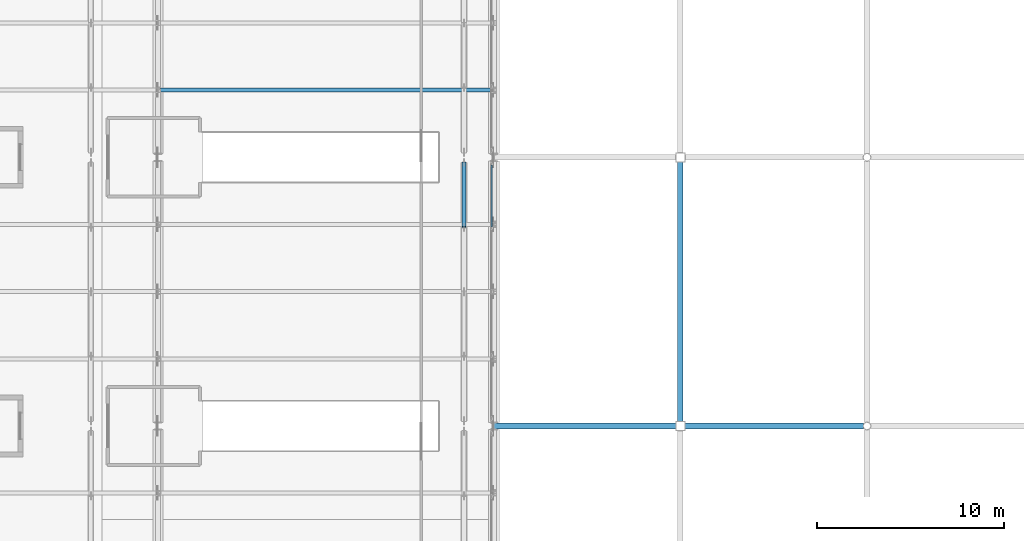
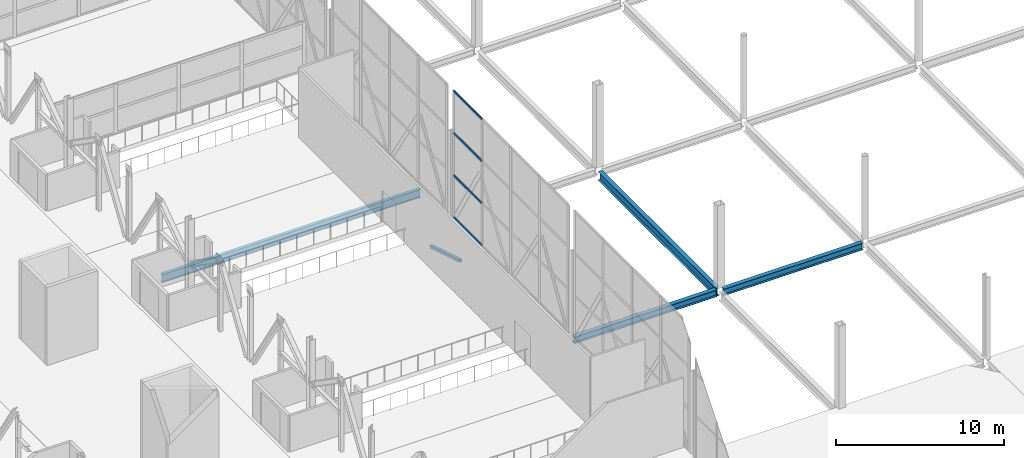
# One storey, part 63 of 191: 5 members, 4 beams, 1 element without a shape of its own.
"""IFC4 building model written with IfcOpenShell, lengths in metres."""

from ifc_helpers import new_model, si_unit, direction, frame, origin, origin_2d, place, context, subcontext, project, spatial, hollow_rectangle, i_section, extrude, material, layer, layer_set, material_profile, profile_set, type_object, element, aggregate, save


model = new_model("IFC4")

# Units and contexts
model_context = context("Model", 3, precision=1e-05, world=origin(), true_north=direction((0.0, 1.0)))
body_context = subcontext(model_context, "Body", "Model", "MODEL_VIEW")
ifc_project = project(units=[si_unit("LENGTHUNIT", "METRE"), si_unit("AREAUNIT", "SQUARE_METRE"), si_unit("VOLUMEUNIT", "CUBIC_METRE"), si_unit("PLANEANGLEUNIT", "RADIAN"), si_unit("MASSUNIT", "GRAM", prefix="KILO")], contexts=[model_context])

# Site, building, storey
site_placement = place(None, origin())
site = spatial("IfcSite", under=ifc_project, at=site_placement, CompositionType="ELEMENT")
building_placement = place(site_placement, origin())
building = spatial("IfcBuilding", under=site, at=building_placement, Name="Tamarisk Ironworks Central Station", CompositionType="ELEMENT")
storey_placement = place(building_placement, frame((0.0, 0.0, 6.60009765625)))
storey = spatial("IfcBuildingStorey", under=building, at=storey_placement, Name="L01", CompositionType="ELEMENT", Elevation=6.60009765625)

# Beams
ifc_material_1 = material(Name="Structural steel S355J2", Category="steel")
ifc_material_profile_1 = material_profile(ifc_material_1, i_section(OverallWidth=0.219970703125, OverallDepth=0.60009765625, WebThickness=0.011962890625, FlangeThickness=0.01904296875, at=origin_2d()), Name="IPE 600")
ifc_profile_set_1 = profile_set([ifc_material_profile_1], Name="Structural steel S355J2")
beam_type_1 = type_object("IfcBeamType", Name="BM-B01", PredefinedType="BEAM", material=ifc_profile_set_1)
beam_1_placement = place(storey_placement, frame((90.135009765625, 54.0, -0.60009765625), z_axis=(1.0, 0.0, 0.0), x_axis=(0.0, 1.0, 0.0)))
element("IfcBeam", 1, at=beam_1_placement, inside=storey, type_object=beam_type_1, Name="L01 secondary composite beam 0038", PredefinedType="BEAM", context=body_context, shape_type="SweptSolid", body=[
    extrude(i_section(OverallWidth=0.219970703125, OverallDepth=0.60009765625, WebThickness=0.011962890625, FlangeThickness=0.01904296875, at=origin_2d()), origin(), (0.0, 0.0, 1.0), 17.72998046875),
])
ifc_material_profile_2 = material_profile(ifc_material_1, i_section(OverallWidth=0.300048828125, OverallDepth=0.639892578125, WebThickness=0.013427734375, FlangeThickness=0.02587890625, at=origin_2d()), Name="HEA 650")
ifc_profile_set_2 = profile_set([ifc_material_profile_2], Name="Structural steel S355J2")
beam_type_2 = type_object("IfcBeamType", Name="BM-G02", PredefinedType="BEAM", material=ifc_profile_set_2)
beam_2_placement = place(storey_placement, frame((118.0, 36.238037109375, -0.570068359375), z_axis=(0.0, 1.0, 0.0), x_axis=(-1.0, 0.0, 0.0)))
element("IfcBeam", 2, at=beam_2_placement, inside=storey, type_object=beam_type_2, Name="L01 primary girder Y-0243", PredefinedType="BEAM", context=body_context, shape_type="SweptSolid", body=[
    extrude(i_section(OverallWidth=0.300048828125, OverallDepth=0.639892578125, WebThickness=0.013427734375, FlangeThickness=0.02587890625, at=origin_2d()), origin(), (0.0, 0.0, 1.0), 13.924072265625),
])
ifc_material_profile_3 = material_profile(ifc_material_1, i_section(OverallWidth=0.300048828125, OverallDepth=0.489990234375, WebThickness=0.011962890625, FlangeThickness=0.02294921875, at=origin_2d()), Name="HEA 500")
ifc_profile_set_3 = profile_set([ifc_material_profile_3], Name="Structural steel S355J2")
beam_type_3 = type_object("IfcBeamType", Name="BM-G05", PredefinedType="BEAM", material=ifc_profile_set_3)
beam_3_placement = place(storey_placement, frame((108.00390625, 36.0, -0.385009765625), z_axis=(1.0, 0.0, 0.0), x_axis=(0.0, 1.0, 0.0)))
element("IfcBeam", 3, at=beam_3_placement, inside=storey, type_object=beam_type_3, Name="L01 primary girder X-0048", PredefinedType="BEAM", context=body_context, shape_type="SweptSolid", body=[
    extrude(i_section(OverallWidth=0.300048828125, OverallDepth=0.489990234375, WebThickness=0.011962890625, FlangeThickness=0.02294921875, at=origin_2d()), origin(), (0.0, 0.0, 1.0), 9.758056640625),
])
beam_4_placement = place(storey_placement, frame((118.238037109375, 36.0, -0.4951171875), z_axis=(1.0, 0.0, 0.0), x_axis=(0.0, 1.0, 0.0)))
element("IfcBeam", 4, at=beam_4_placement, inside=storey, type_object=beam_type_3, Name="L01 primary girder X-0049", PredefinedType="BEAM", context=body_context, shape_type="SweptSolid", body=[
    extrude(i_section(OverallWidth=0.300048828125, OverallDepth=0.489990234375, WebThickness=0.011962890625, FlangeThickness=0.02294921875, at=origin_2d()), origin(), (0.0, 0.0, 1.0), 9.57080078125),
])

# Curtain wall, members
ifc_material_2 = material(Name="Anodized aluminium alloy 6063-T6", Category="aluminium")
ifc_layer = layer(ifc_material_2, 0.179931640625)
ifc_layer_set = layer_set([ifc_layer], Name="Anodized aluminium alloy 6063-T6")
curtain_wall_type = type_object("IfcCurtainWallType", Name="CW-06", PredefinedType="USERDEFINED", material=ifc_layer_set)
curtain_wall_placement = place(storey_placement, origin())
curtain_wall = element("IfcCurtainWall", 5, at=curtain_wall_placement, inside=storey, type_object=curtain_wall_type, Name="Concourse E track-overlook curtain wall 03", ObjectType="GLAZED CURTAIN WALL", PredefinedType="USERDEFINED")
ifc_material_profile_4 = material_profile(ifc_material_2, hollow_rectangle(XDim=0.074951171875, YDim=0.159912109375, WallThickness=0.00390625, at=origin_2d()), Name="ALUM 160x75")
ifc_profile_set_4 = profile_set([ifc_material_profile_4], Name="Anodized aluminium alloy 6063-T6")
member_type_1 = type_object("IfcMemberType", Name="CWT-01", PredefinedType="USERDEFINED", material=ifc_profile_set_4)
member_1_placement = place(storey_placement, frame((107.8798828125, 46.658447265625, 0.037353515625), z_axis=(0.0, 1.0, 0.0), x_axis=(-1.0, 0.0, 0.0)))
member_1 = element("IfcMember", 6, at=member_1_placement, type_object=member_type_1, Name="CW06 transom 4.1", ObjectType="TRANSOM", PredefinedType="USERDEFINED", context=body_context, shape_type="SweptSolid", body=[
    extrude(hollow_rectangle(XDim=0.074951171875, YDim=0.159912109375, WallThickness=0.00390625, at=origin_2d()), origin(), (0.0, 0.0, 1.0), 3.320556640625),
])
member_2_placement = place(storey_placement, frame((107.8798828125, 46.658447265625, 3.0732421875), z_axis=(0.0, 1.0, 0.0), x_axis=(-1.0, 0.0, 0.0)))
member_2 = element("IfcMember", 7, at=member_2_placement, type_object=member_type_1, Name="CW06 transom 4.2", ObjectType="TRANSOM", PredefinedType="USERDEFINED", context=body_context, shape_type="SweptSolid", body=[
    extrude(hollow_rectangle(XDim=0.074951171875, YDim=0.159912109375, WallThickness=0.00390625, at=origin_2d()), origin(), (0.0, 0.0, 1.0), 3.320556640625),
])
member_3_placement = place(storey_placement, frame((107.8798828125, 46.658447265625, 6.146484375), z_axis=(0.0, 1.0, 0.0), x_axis=(-1.0, 0.0, 0.0)))
member_3 = element("IfcMember", 8, at=member_3_placement, type_object=member_type_1, Name="CW06 transom 4.3", ObjectType="TRANSOM", PredefinedType="USERDEFINED", context=body_context, shape_type="SweptSolid", body=[
    extrude(hollow_rectangle(XDim=0.074951171875, YDim=0.159912109375, WallThickness=0.00390625, at=origin_2d()), origin(), (0.0, 0.0, 1.0), 3.320556640625),
])
member_4_placement = place(storey_placement, frame((107.8798828125, 46.658447265625, 9.182373046875), z_axis=(0.0, 1.0, 0.0), x_axis=(-1.0, 0.0, 0.0)))
member_4 = element("IfcMember", 9, at=member_4_placement, type_object=member_type_1, Name="CW06 transom 4.4", ObjectType="TRANSOM", PredefinedType="USERDEFINED", context=body_context, shape_type="SweptSolid", body=[
    extrude(hollow_rectangle(XDim=0.074951171875, YDim=0.159912109375, WallThickness=0.00390625, at=origin_2d()), origin(), (0.0, 0.0, 1.0), 3.320556640625),
])
aggregate(curtain_wall, [member_1, member_2, member_3, member_4])

# Member
ifc_material_3 = material(Name="Structural steel S355J2H", Category="steel")
ifc_material_profile_5 = material_profile(ifc_material_3, hollow_rectangle(XDim=0.199951171875, YDim=0.199951171875, WallThickness=0.010009765625, at=origin_2d()), Name="SHS 200x200x10")
ifc_profile_set_5 = profile_set([ifc_material_profile_5], Name="Structural steel S355J2H")
member_type_2 = type_object("IfcMemberType", Name="MB-BR02", PredefinedType="BRACE", material=ifc_profile_set_5)
member_5_placement = place(storey_placement, frame((106.39990234375, 46.659912109375, -0.580078125), z_axis=(0.0, 0.956137121505, -0.29291945118), x_axis=(-1.0, 0.0, 0.0)))
element("IfcMember", 10, at=member_5_placement, inside=storey, type_object=member_type_2, Name="Bridge deck stiffening web brace 196", PredefinedType="BRACE", context=body_context, shape_type="SweptSolid", body=[
    extrude(hollow_rectangle(XDim=0.199951171875, YDim=0.199951171875, WallThickness=0.010009765625, at=origin_2d()), origin(), (0.0, 0.0, 1.0), 3.618896484375),
])

save(model, "model.ifc")
